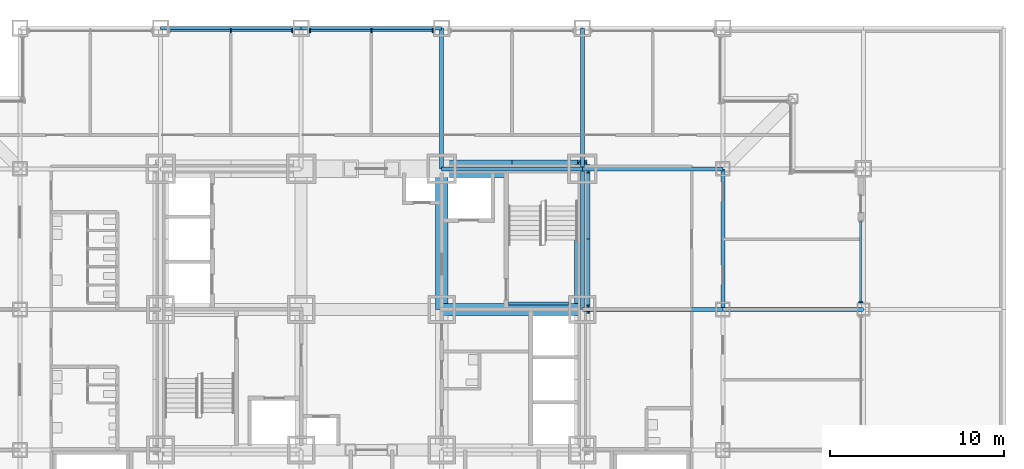
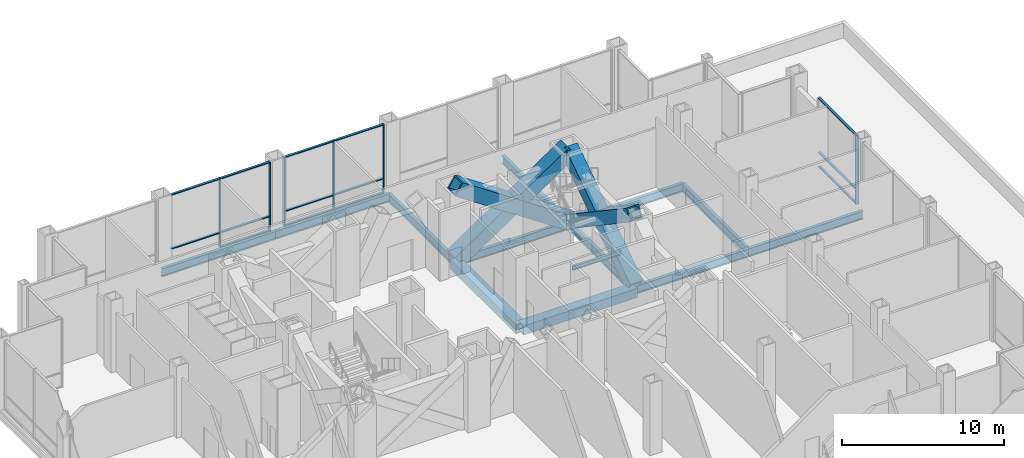
# One storey, part 8 of 18: 24 members, 13 beams, 3 elements without a shape of their own.
"""IFC4 building model written with IfcOpenShell, lengths in metres."""

from ifc_helpers import new_model, si_unit, direction, frame, origin, origin_2d, place, context, subcontext, project, spatial, rectangle, hollow_rectangle, i_section, extrude, material, material_profile, profile_set, type_object, element, aggregate, save


model = new_model("IFC4")

# Units and contexts
model_context = context("Model", 3, precision=1e-05, world=origin(), true_north=direction((0.0, 1.0)))
body_context = subcontext(model_context, "Body", "Model", "MODEL_VIEW")
ifc_project = project(units=[si_unit("LENGTHUNIT", "METRE"), si_unit("AREAUNIT", "SQUARE_METRE"), si_unit("VOLUMEUNIT", "CUBIC_METRE"), si_unit("PLANEANGLEUNIT", "RADIAN"), si_unit("MASSUNIT", "GRAM", prefix="KILO")], contexts=[model_context])

# Site, building, storey
site_placement = place(None, origin())
site = spatial("IfcSite", under=ifc_project, at=site_placement, CompositionType="ELEMENT")
building_placement = place(site_placement, origin())
building = spatial("IfcBuilding", under=site, at=building_placement, Name="Kopane Lantern Tower", CompositionType="ELEMENT")
storey_placement = place(building_placement, frame((0.0, 0.0, 22.199951171875)))
storey = spatial("IfcBuildingStorey", under=building, at=storey_placement, Name="L04", CompositionType="ELEMENT", Elevation=22.199951171875)

# Members
ifc_material_1 = material(Name="Steel S355JR", Category="steel")
ifc_material_profile_1 = material_profile(ifc_material_1, hollow_rectangle(XDim=1.0, YDim=1.0, WallThickness=0.10009765625, at=origin_2d()), Name="BOX 1000x1000x100")
ifc_profile_set_1 = profile_set([ifc_material_profile_1], Name="Steel S355JR")
member_type_1 = type_object("IfcMemberType", Name="BRACE BOX 1000x1000x100", PredefinedType="BRACE", material=ifc_profile_set_1)
for number, where, z_axis, x_axis, name in (
    (1, (32.39990234375, 40.5, -0.25), (0.830159256911, 0.0, 0.557526329571), (0.0, 1.0, 0.0), "Core brace L04"),
    (2, (40.5, 40.5, -0.25), (-0.830159256911, 0.0, 0.557526329571), (0.0, -1.0, 0.0), "Core brace L04"),
):
    element("IfcMember", number, at=place(storey_placement, frame(where, z_axis=z_axis, x_axis=x_axis)), inside=storey, type_object=member_type_1, Name=name, PredefinedType="BRACE", context=body_context, shape_type="SweptSolid", body=[
        extrude(hollow_rectangle(XDim=1.0, YDim=1.0, WallThickness=0.10009765625, at=origin_2d()), origin(), (0.0, 0.0, 1.0), 9.75732421875),
    ])
ifc_material_2 = material(Name="Steel S355JR", Category="steel")
ifc_material_profile_2 = material_profile(ifc_material_2, hollow_rectangle(XDim=0.89990234375, YDim=0.89990234375, WallThickness=0.090087890625, at=origin_2d()), Name="BOX 900x900x90")
ifc_profile_set_2 = profile_set([ifc_material_profile_2], Name="Steel S355JR")
member_type_2 = type_object("IfcMemberType", Name="BRACE BOX 900x900x90", PredefinedType="BRACE", material=ifc_profile_set_2)
for number, where, z_axis, x_axis, name in (
    (3, (40.5, 32.39990234375, -0.25), (0.0, 0.830159256911, 0.557526329571), (-1.0, 0.0, 0.0), "Core brace L04"),
    (4, (40.5, 40.5, -0.25), (0.0, -0.830159256911, 0.557526329571), (1.0, 0.0, 0.0), "Core brace L04"),
):
    element("IfcMember", number, at=place(storey_placement, frame(where, z_axis=z_axis, x_axis=x_axis)), inside=storey, type_object=member_type_2, Name=name, PredefinedType="BRACE", context=body_context, shape_type="SweptSolid", body=[
        extrude(hollow_rectangle(XDim=0.89990234375, YDim=0.89990234375, WallThickness=0.090087890625, at=origin_2d()), origin(), (0.0, 0.0, 1.0), 9.75732421875),
    ])

# Beams
ifc_material_3 = material(Name="Steel S355JR", Category="steel")
ifc_material_profile_3 = material_profile(ifc_material_3, hollow_rectangle(XDim=0.699951171875, YDim=0.699951171875, WallThickness=0.06005859375, at=origin_2d()), Name="BOX 700x700x60")
ifc_profile_set_3 = profile_set([ifc_material_profile_3], Name="Steel S355JR")
beam_type_1 = type_object("IfcBeamType", Name="CORE BEAM BOX 700x700x60", PredefinedType="BEAM", material=ifc_profile_set_3)
for number, where, z_axis, x_axis, name in (
    (5, (32.39990234375, 32.39990234375, -0.599853515625), (0.0, 1.0, 0.0), (-1.0, 0.0, 0.0), "Core Beam L04"),
    (6, (32.39990234375, 32.39990234375, -0.599853515625), (1.0, 0.0, 0.0), (0.0, 1.0, 0.0), "Core Beam L04"),
):
    element("IfcBeam", number, at=place(storey_placement, frame(where, z_axis=z_axis, x_axis=x_axis)), inside=storey, type_object=beam_type_1, Name=name, PredefinedType="BEAM", context=body_context, shape_type="SweptSolid", body=[
        extrude(hollow_rectangle(XDim=0.699951171875, YDim=0.699951171875, WallThickness=0.06005859375, at=origin_2d()), origin(), (0.0, 0.0, 1.0), 8.10009765625),
    ])
ifc_material_4 = material(Name="Steel S355JR", Category="steel")
ifc_material_profile_4 = material_profile(ifc_material_4, i_section(OverallWidth=0.22900390625, OverallDepth=0.6123046875, WebThickness=0.011962890625, FlangeThickness=0.01953125, FilletRadius=0.0126953125, at=origin_2d()), Name="UB 610x229x125")
ifc_profile_set_4 = profile_set([ifc_material_profile_4], Name="Steel S355JR")
beam_type_2 = type_object("IfcBeamType", Name="GIRDER UB 610x229x125", PredefinedType="BEAM", material=ifc_profile_set_4)
beam_1_placement = place(storey_placement, frame((16.199951171875, 48.60009765625, -0.55615234375), z_axis=(1.0, 0.0, 0.0), x_axis=(0.0, 1.0, 0.0)))
element("IfcBeam", 7, at=beam_1_placement, inside=storey, type_object=beam_type_2, Name="Girder L04", PredefinedType="BEAM", context=body_context, shape_type="SweptSolid", body=[
    extrude(i_section(OverallWidth=0.22900390625, OverallDepth=0.6123046875, WebThickness=0.011962890625, FlangeThickness=0.01953125, FilletRadius=0.0126953125, at=origin_2d()), origin(), (0.0, 0.0, 1.0), 8.10009765625),
])
beam_2_placement = place(storey_placement, frame((24.300048828125, 48.60009765625, -0.55615234375), z_axis=(1.0, 0.0, 0.0), x_axis=(0.0, 1.0, 0.0)))
element("IfcBeam", 8, at=beam_2_placement, inside=storey, type_object=beam_type_2, Name="Girder L04", PredefinedType="BEAM", context=body_context, shape_type="SweptSolid", body=[
    extrude(i_section(OverallWidth=0.22900390625, OverallDepth=0.6123046875, WebThickness=0.011962890625, FlangeThickness=0.01953125, FilletRadius=0.0126953125, at=origin_2d()), origin(), (0.0, 0.0, 1.0), 8.099853515625),
])
for number, where, z_axis, x_axis, name in (
    (9, (32.39990234375, 40.5, -0.55615234375), (0.0, 1.0, 0.0), (-1.0, 0.0, 0.0), "Girder L04"),
    (10, (32.39990234375, 40.5, -0.55615234375), (1.0, 0.0, 0.0), (0.0, 1.0, 0.0), "Girder L04"),
    (11, (40.5, 32.39990234375, -0.55615234375), (0.0, 1.0, 0.0), (-1.0, 0.0, 0.0), "Girder L04"),
    (12, (40.5, 32.39990234375, -0.55615234375), (1.0, 0.0, 0.0), (0.0, 1.0, 0.0), "Girder L04"),
    (13, (40.5, 40.5, -0.55615234375), (0.0, 1.0, 0.0), (-1.0, 0.0, 0.0), "Girder L04"),
    (14, (40.5, 40.5, -0.55615234375), (1.0, 0.0, 0.0), (0.0, 1.0, 0.0), "Girder L04"),
    (15, (48.60009765625, 32.39990234375, -0.55615234375), (0.0, 1.0, 0.0), (-1.0, 0.0, 0.0), "Girder L04"),
):
    element("IfcBeam", number, at=place(storey_placement, frame(where, z_axis=z_axis, x_axis=x_axis)), inside=storey, type_object=beam_type_2, Name=name, PredefinedType="BEAM", context=body_context, shape_type="SweptSolid", body=[
        extrude(i_section(OverallWidth=0.22900390625, OverallDepth=0.6123046875, WebThickness=0.011962890625, FlangeThickness=0.01953125, FilletRadius=0.0126953125, at=origin_2d()), origin(), (0.0, 0.0, 1.0), 8.10009765625),
    ])
beam_3_placement = place(storey_placement, frame((48.60009765625, 32.39990234375, -0.55615234375), z_axis=(1.0, 0.0, 0.0), x_axis=(0.0, 1.0, 0.0)))
element("IfcBeam", 16, at=beam_3_placement, inside=storey, type_object=beam_type_2, Name="Girder L04", PredefinedType="BEAM", context=body_context, shape_type="SweptSolid", body=[
    extrude(i_section(OverallWidth=0.22900390625, OverallDepth=0.6123046875, WebThickness=0.011962890625, FlangeThickness=0.01953125, FilletRadius=0.0126953125, at=origin_2d()), origin(), (0.0, 0.0, 1.0), 8.099853515625),
])

# Curtain wall, member
ifc_material_5 = material(Name="Aluminium and clear glass", Category="aluminium")
curtain_wall_type = type_object("IfcCurtainWallType", Name="CURTAIN WALL CW3 SKY LOBBY", PredefinedType="USERDEFINED", material=ifc_material_5)
curtain_wall_1_placement = place(storey_placement, origin())
curtain_wall_1 = element("IfcCurtainWall", 17, at=curtain_wall_1_placement, inside=storey, type_object=curtain_wall_type, Name="Curtain wall CW3 E L04", ObjectType="CURTAIN WALL", PredefinedType="USERDEFINED")
ifc_material_6 = material(Name="Aluminium", Category="aluminium")
ifc_material_profile_5 = material_profile(ifc_material_6, rectangle(XDim=0.070068359375, YDim=0.22509765625, at=origin_2d()), Name="AL 70x225")
ifc_profile_set_5 = profile_set([ifc_material_profile_5], Name="Aluminium")
member_type_3 = type_object("IfcMemberType", Name="MULLION CW3-M 70x225", PredefinedType="MULLION", material=ifc_profile_set_5)
member_1_placement = place(storey_placement, frame((56.550048828125, 32.81494140625, 0.0), z_axis=(0.0, 0.0, 1.0), x_axis=(0.0, 1.0, 0.0)))
member_1 = element("IfcMember", 18, at=member_1_placement, type_object=member_type_3, Name="CW3 mullion 1", PredefinedType="MULLION", context=body_context, shape_type="SweptSolid", body=[
    extrude(rectangle(XDim=0.070068359375, YDim=0.22509765625, at=origin_2d()), origin(), (0.0, 0.0, 1.0), 5.18994140625),
])

# Curtain wall, members
curtain_wall_2_placement = place(storey_placement, origin())
curtain_wall_2 = element("IfcCurtainWall", 19, at=curtain_wall_2_placement, inside=storey, type_object=curtain_wall_type, Name="Curtain wall CW3 N L04", ObjectType="CURTAIN WALL", PredefinedType="USERDEFINED")
member_2_placement = place(storey_placement, frame((31.885009765625, 48.449951171875, 0.0), z_axis=(0.0, 0.0, 1.0), x_axis=(-1.0, 0.0, 0.0)))
member_2 = element("IfcMember", 20, at=member_2_placement, type_object=member_type_3, Name="CW3 mullion 1", PredefinedType="MULLION", context=body_context, shape_type="SweptSolid", body=[
    extrude(rectangle(XDim=0.070068359375, YDim=0.22509765625, at=origin_2d()), origin(), (0.0, 0.0, 1.0), 5.18994140625),
])
member_3_placement = place(storey_placement, frame((28.35009765625, 48.449951171875, 0.0), z_axis=(0.0, 0.0, 1.0), x_axis=(-1.0, 0.0, 0.0)))
member_3 = element("IfcMember", 21, at=member_3_placement, type_object=member_type_3, Name="CW3 mullion 2", PredefinedType="MULLION", context=body_context, shape_type="SweptSolid", body=[
    extrude(rectangle(XDim=0.070068359375, YDim=0.22509765625, at=origin_2d()), origin(), (0.0, 0.0, 1.0), 5.18994140625),
])
member_4_placement = place(storey_placement, frame((24.81494140625, 48.449951171875, 0.0), z_axis=(0.0, 0.0, 1.0), x_axis=(-1.0, 0.0, 0.0)))
member_4 = element("IfcMember", 22, at=member_4_placement, type_object=member_type_3, Name="CW3 mullion 3", PredefinedType="MULLION", context=body_context, shape_type="SweptSolid", body=[
    extrude(rectangle(XDim=0.070068359375, YDim=0.22509765625, at=origin_2d()), origin(), (0.0, 0.0, 1.0), 5.18994140625),
])

curtain_wall_3_placement = place(storey_placement, origin())
curtain_wall_3 = element("IfcCurtainWall", 23, at=curtain_wall_3_placement, inside=storey, type_object=curtain_wall_type, Name="Curtain wall CW3 N L04", ObjectType="CURTAIN WALL", PredefinedType="USERDEFINED")
member_5_placement = place(storey_placement, frame((23.784912109375, 48.449951171875, 0.0), z_axis=(0.0, 0.0, 1.0), x_axis=(-1.0, 0.0, 0.0)))
member_5 = element("IfcMember", 24, at=member_5_placement, type_object=member_type_3, Name="CW3 mullion 1", PredefinedType="MULLION", context=body_context, shape_type="SweptSolid", body=[
    extrude(rectangle(XDim=0.070068359375, YDim=0.22509765625, at=origin_2d()), origin(), (0.0, 0.0, 1.0), 5.18994140625),
])
member_6_placement = place(storey_placement, frame((20.25, 48.449951171875, 0.0), z_axis=(0.0, 0.0, 1.0), x_axis=(-1.0, 0.0, 0.0)))
member_6 = element("IfcMember", 25, at=member_6_placement, type_object=member_type_3, Name="CW3 mullion 2", PredefinedType="MULLION", context=body_context, shape_type="SweptSolid", body=[
    extrude(rectangle(XDim=0.070068359375, YDim=0.22509765625, at=origin_2d()), origin(), (0.0, 0.0, 1.0), 5.18994140625),
])

# Beam
ifc_material_7 = material(Name="Steel S355JR", Category="steel")
ifc_material_profile_6 = material_profile(ifc_material_7, i_section(OverallWidth=0.1650390625, OverallDepth=0.303466796875, WebThickness=0.006103515625, FlangeThickness=0.01025390625, FilletRadius=0.0087890625, at=origin_2d()), Name="UB 305x165x40")
ifc_profile_set_6 = profile_set([ifc_material_profile_6], Name="Steel S355JR")
beam_type_3 = type_object("IfcBeamType", Name="STAIR LANDING BEAM UB 305x165x40", PredefinedType="BEAM", material=ifc_profile_set_6)
beam_4_placement = place(storey_placement, frame((39.699951171875, 32.732421875, 2.348388671875), z_axis=(-1.0, 0.0, 0.0), x_axis=(0.0, -1.0, 0.0)))
element("IfcBeam", 26, at=beam_4_placement, inside=storey, type_object=beam_type_3, Name="Stair landing beam ST2 L04", PredefinedType="BEAM", context=body_context, shape_type="SweptSolid", body=[
    extrude(i_section(OverallWidth=0.1650390625, OverallDepth=0.303466796875, WebThickness=0.006103515625, FlangeThickness=0.01025390625, FilletRadius=0.0087890625, at=origin_2d()), origin(), (0.0, 0.0, 1.0), 3.449951171875),
])

# Member
ifc_material_8 = material(Name="Aluminium", Category="aluminium")
ifc_material_profile_7 = material_profile(ifc_material_8, rectangle(XDim=0.159912109375, YDim=0.070068359375, at=origin_2d()), Name="AL 160x70")
ifc_profile_set_7 = profile_set([ifc_material_profile_7], Name="Aluminium")
member_type_4 = type_object("IfcMemberType", Name="TRANSOM CW3-T 70x160", PredefinedType="USERDEFINED", material=ifc_profile_set_7)
member_7_placement = place(storey_placement, frame((56.550048828125, 32.85009765625, 0.03515625), z_axis=(0.0, 1.0, 0.0), x_axis=(-1.0, 0.0, 0.0)))
member_7 = element("IfcMember", 27, at=member_7_placement, type_object=member_type_4, Name="CW3 transom 1.1", ObjectType="TRANSOM", PredefinedType="USERDEFINED", context=body_context, shape_type="SweptSolid", body=[
    extrude(rectangle(XDim=0.159912109375, YDim=0.070068359375, at=origin_2d()), origin(), (0.0, 0.0, 1.0), 4.60498046875),
])

member_8_placement = place(storey_placement, frame((56.550048828125, 32.85009765625, 1.10009765625), z_axis=(0.0, 1.0, 0.0), x_axis=(-1.0, 0.0, 0.0)))
member_8 = element("IfcMember", 28, at=member_8_placement, type_object=member_type_4, Name="CW3 transom 1.2", ObjectType="TRANSOM", PredefinedType="USERDEFINED", context=body_context, shape_type="SweptSolid", body=[
    extrude(rectangle(XDim=0.159912109375, YDim=0.070068359375, at=origin_2d()), origin(), (0.0, 0.0, 1.0), 4.60498046875),
])

member_9_placement = place(storey_placement, frame((56.550048828125, 32.85009765625, 5.155029296875), z_axis=(0.0, 1.0, 0.0), x_axis=(-1.0, 0.0, 0.0)))
member_9 = element("IfcMember", 29, at=member_9_placement, type_object=member_type_4, Name="CW3 transom 1.3", ObjectType="TRANSOM", PredefinedType="USERDEFINED", context=body_context, shape_type="SweptSolid", body=[
    extrude(rectangle(XDim=0.159912109375, YDim=0.070068359375, at=origin_2d()), origin(), (0.0, 0.0, 1.0), 4.60498046875),
])

aggregate(curtain_wall_1, [member_1, member_7, member_8, member_9])

member_10_placement = place(storey_placement, frame((31.85009765625, 48.449951171875, 0.03515625), z_axis=(-1.0, 0.0, 0.0), x_axis=(0.0, -1.0, 0.0)))
member_10 = element("IfcMember", 30, at=member_10_placement, type_object=member_type_4, Name="CW3 transom 1.1", ObjectType="TRANSOM", PredefinedType="USERDEFINED", context=body_context, shape_type="SweptSolid", body=[
    extrude(rectangle(XDim=0.159912109375, YDim=0.070068359375, at=origin_2d()), origin(), (0.0, 0.0, 1.0), 3.465087890625),
])

member_11_placement = place(storey_placement, frame((31.85009765625, 48.449951171875, 1.10009765625), z_axis=(-1.0, 0.0, 0.0), x_axis=(0.0, -1.0, 0.0)))
member_11 = element("IfcMember", 31, at=member_11_placement, type_object=member_type_4, Name="CW3 transom 1.2", ObjectType="TRANSOM", PredefinedType="USERDEFINED", context=body_context, shape_type="SweptSolid", body=[
    extrude(rectangle(XDim=0.159912109375, YDim=0.070068359375, at=origin_2d()), origin(), (0.0, 0.0, 1.0), 3.465087890625),
])

member_12_placement = place(storey_placement, frame((31.85009765625, 48.449951171875, 5.155029296875), z_axis=(-1.0, 0.0, 0.0), x_axis=(0.0, -1.0, 0.0)))
member_12 = element("IfcMember", 32, at=member_12_placement, type_object=member_type_4, Name="CW3 transom 1.3", ObjectType="TRANSOM", PredefinedType="USERDEFINED", context=body_context, shape_type="SweptSolid", body=[
    extrude(rectangle(XDim=0.159912109375, YDim=0.070068359375, at=origin_2d()), origin(), (0.0, 0.0, 1.0), 3.465087890625),
])

member_13_placement = place(storey_placement, frame((28.31494140625, 48.449951171875, 0.03515625), z_axis=(-1.0, 0.0, 0.0), x_axis=(0.0, -1.0, 0.0)))
member_13 = element("IfcMember", 33, at=member_13_placement, type_object=member_type_4, Name="CW3 transom 2.1", ObjectType="TRANSOM", PredefinedType="USERDEFINED", context=body_context, shape_type="SweptSolid", body=[
    extrude(rectangle(XDim=0.159912109375, YDim=0.070068359375, at=origin_2d()), origin(), (0.0, 0.0, 1.0), 3.46484375),
])

member_14_placement = place(storey_placement, frame((28.31494140625, 48.449951171875, 1.10009765625), z_axis=(-1.0, 0.0, 0.0), x_axis=(0.0, -1.0, 0.0)))
member_14 = element("IfcMember", 34, at=member_14_placement, type_object=member_type_4, Name="CW3 transom 2.2", ObjectType="TRANSOM", PredefinedType="USERDEFINED", context=body_context, shape_type="SweptSolid", body=[
    extrude(rectangle(XDim=0.159912109375, YDim=0.070068359375, at=origin_2d()), origin(), (0.0, 0.0, 1.0), 3.46484375),
])

member_15_placement = place(storey_placement, frame((28.31494140625, 48.449951171875, 5.155029296875), z_axis=(-1.0, 0.0, 0.0), x_axis=(0.0, -1.0, 0.0)))
member_15 = element("IfcMember", 35, at=member_15_placement, type_object=member_type_4, Name="CW3 transom 2.3", ObjectType="TRANSOM", PredefinedType="USERDEFINED", context=body_context, shape_type="SweptSolid", body=[
    extrude(rectangle(XDim=0.159912109375, YDim=0.070068359375, at=origin_2d()), origin(), (0.0, 0.0, 1.0), 3.46484375),
])

aggregate(curtain_wall_2, [member_2, member_3, member_4, member_10, member_11, member_12, member_13, member_14, member_15])

member_16_placement = place(storey_placement, frame((23.75, 48.449951171875, 0.03515625), z_axis=(-1.0, 0.0, 0.0), x_axis=(0.0, -1.0, 0.0)))
member_16 = element("IfcMember", 36, at=member_16_placement, type_object=member_type_4, Name="CW3 transom 1.1", ObjectType="TRANSOM", PredefinedType="USERDEFINED", context=body_context, shape_type="SweptSolid", body=[
    extrude(rectangle(XDim=0.159912109375, YDim=0.070068359375, at=origin_2d()), origin(), (0.0, 0.0, 1.0), 3.465087890625),
])

member_17_placement = place(storey_placement, frame((23.75, 48.449951171875, 1.10009765625), z_axis=(-1.0, 0.0, 0.0), x_axis=(0.0, -1.0, 0.0)))
member_17 = element("IfcMember", 37, at=member_17_placement, type_object=member_type_4, Name="CW3 transom 1.2", ObjectType="TRANSOM", PredefinedType="USERDEFINED", context=body_context, shape_type="SweptSolid", body=[
    extrude(rectangle(XDim=0.159912109375, YDim=0.070068359375, at=origin_2d()), origin(), (0.0, 0.0, 1.0), 3.465087890625),
])

member_18_placement = place(storey_placement, frame((23.75, 48.449951171875, 5.155029296875), z_axis=(-1.0, 0.0, 0.0), x_axis=(0.0, -1.0, 0.0)))
member_18 = element("IfcMember", 38, at=member_18_placement, type_object=member_type_4, Name="CW3 transom 1.3", ObjectType="TRANSOM", PredefinedType="USERDEFINED", context=body_context, shape_type="SweptSolid", body=[
    extrude(rectangle(XDim=0.159912109375, YDim=0.070068359375, at=origin_2d()), origin(), (0.0, 0.0, 1.0), 3.465087890625),
])

member_19_placement = place(storey_placement, frame((20.215087890625, 48.449951171875, 1.10009765625), z_axis=(-1.0, 0.0, 0.0), x_axis=(0.0, -1.0, 0.0)))
member_19 = element("IfcMember", 39, at=member_19_placement, type_object=member_type_4, Name="CW3 transom 2.2", ObjectType="TRANSOM", PredefinedType="USERDEFINED", context=body_context, shape_type="SweptSolid", body=[
    extrude(rectangle(XDim=0.159912109375, YDim=0.070068359375, at=origin_2d()), origin(), (0.0, 0.0, 1.0), 3.465087890625),
])

member_20_placement = place(storey_placement, frame((20.215087890625, 48.449951171875, 5.155029296875), z_axis=(-1.0, 0.0, 0.0), x_axis=(0.0, -1.0, 0.0)))
member_20 = element("IfcMember", 40, at=member_20_placement, type_object=member_type_4, Name="CW3 transom 2.3", ObjectType="TRANSOM", PredefinedType="USERDEFINED", context=body_context, shape_type="SweptSolid", body=[
    extrude(rectangle(XDim=0.159912109375, YDim=0.070068359375, at=origin_2d()), origin(), (0.0, 0.0, 1.0), 3.465087890625),
])

aggregate(curtain_wall_3, [member_5, member_6, member_16, member_17, member_18, member_19, member_20])

save(model, "model.ifc")
